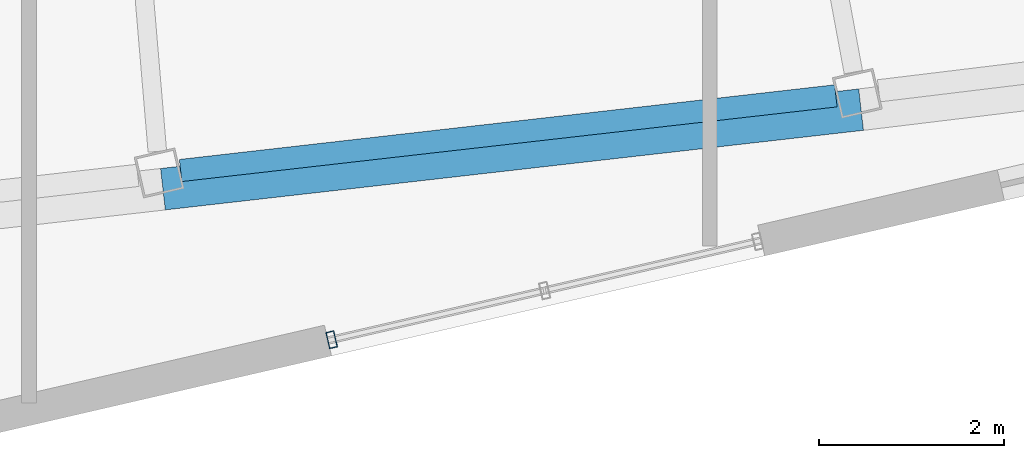
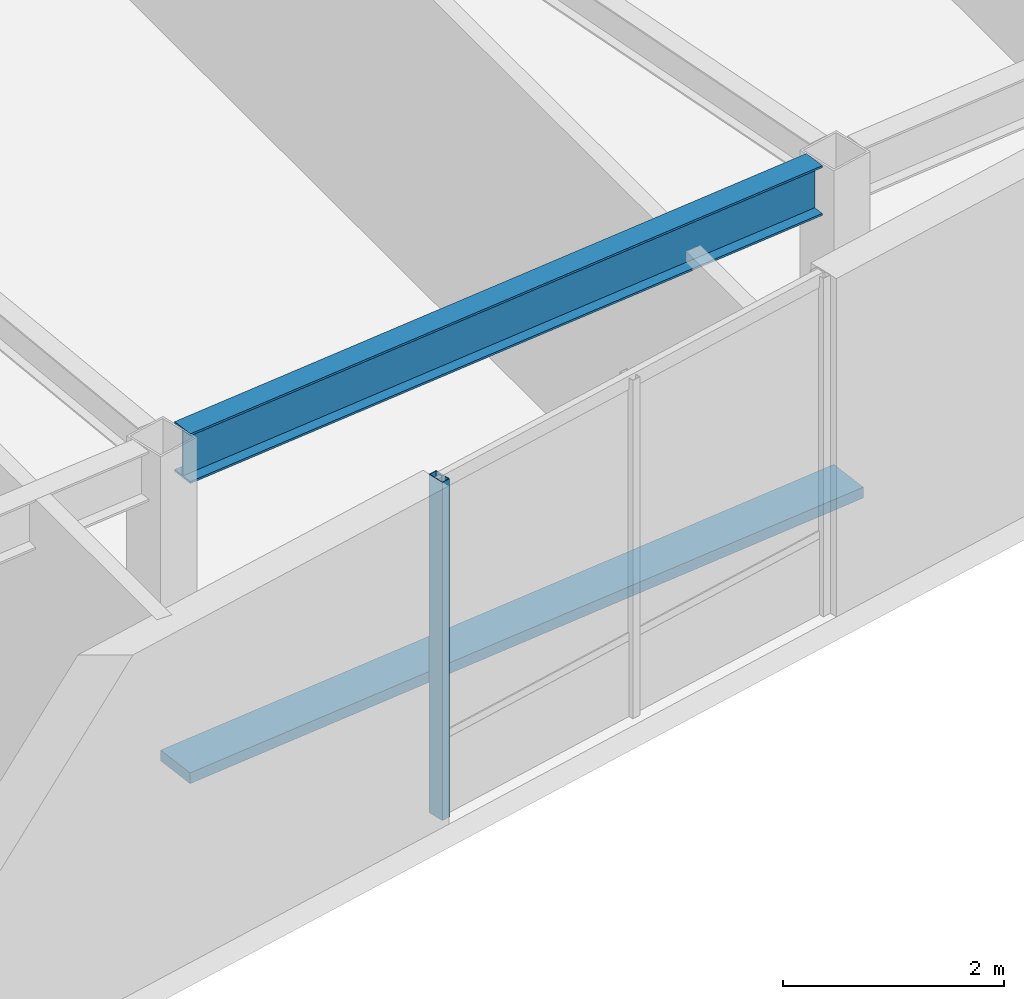
# One storey, part 6 of 22: 2 members, 1 beam, 1 element without a shape of its own.
"""IFC4 building model written with IfcOpenShell, lengths in metres."""

from ifc_helpers import new_model, si_unit, direction, frame, origin, origin_2d, place, context, subcontext, project, spatial, rectangle, hollow_rectangle, i_section, extrude, material, layer, layer_set, material_profile, profile_set, type_object, element, aggregate, save


model = new_model("IFC4")

# Units and contexts
model_context = context("Model", 3, precision=1e-05, world=origin(), true_north=direction((0.0, 1.0)))
body_context = subcontext(model_context, "Body", "Model", "MODEL_VIEW")
ifc_project = project(units=[si_unit("LENGTHUNIT", "METRE"), si_unit("AREAUNIT", "SQUARE_METRE"), si_unit("VOLUMEUNIT", "CUBIC_METRE"), si_unit("PLANEANGLEUNIT", "RADIAN"), si_unit("MASSUNIT", "GRAM", prefix="KILO")], contexts=[model_context])

# Site, building, storey
site_placement = place(None, origin())
site = spatial("IfcSite", under=ifc_project, at=site_placement, CompositionType="ELEMENT")
building_placement = place(site_placement, origin())
building = spatial("IfcBuilding", under=site, at=building_placement, Name="Tavrogorsk Clinical Tower", CompositionType="ELEMENT")
storey_placement = place(building_placement, frame((0.0, 0.0, 313.0)))
storey = spatial("IfcBuildingStorey", under=building, at=storey_placement, Name="L73", CompositionType="ELEMENT", Elevation=313.0)

# Member
ifc_material_1 = material(Name="Anodised aluminium alloy AW-6063", Category="aluminium")
ifc_material_profile_1 = material_profile(ifc_material_1, rectangle(XDim=0.449951171875, YDim=0.1201171875, at=origin_2d()), Name="ALU-SUNSHADE-450x120")
ifc_profile_set_1 = profile_set([ifc_material_profile_1], Name="Anodised aluminium alloy AW-6063")
member_type_1 = type_object("IfcMemberType", Name="ChicagoSunshade_450x120", PredefinedType="USERDEFINED", material=ifc_profile_set_1)
member_1_placement = place(storey_placement, frame((-8.75341796875, -24.343994140625, 0.179931640625), z_axis=(0.993568518474, 0.113232500178, 0.0), x_axis=(-0.113232500178, 0.993568518474, 0.0)))
element("IfcMember", 1, at=member_1_placement, inside=storey, type_object=member_type_1, Name="L73 South Aluminium Sunshade S3", ObjectType="SUNSHADE", PredefinedType="USERDEFINED", context=body_context, shape_type="SweptSolid", body=[
    extrude(rectangle(XDim=0.449951171875, YDim=0.1201171875, at=origin_2d()), origin(), (0.0, 0.0, 1.0), 7.585205078125),
])

# Curtain wall, member
ifc_material_2 = material(Name="Anodised aluminium and triple IGU glazing", Category="aluminium")
ifc_layer = layer(ifc_material_2, 0.179931640625)
ifc_layer_set = layer_set([ifc_layer], Name="Anodised aluminium and triple IGU glazing")
curtain_wall_type = type_object("IfcCurtainWallType", Name="CW3_SouthSlot", PredefinedType="NOTDEFINED", material=ifc_layer_set)
curtain_wall_placement = place(storey_placement, origin())
curtain_wall = element("IfcCurtainWall", 2, at=curtain_wall_placement, inside=storey, type_object=curtain_wall_type, Name="L73 Curtain Wall CW-L73-S-SLOT-1", PredefinedType="NOTDEFINED")
ifc_material_3 = material(Name="Anodised aluminium alloy AW-6060", Category="aluminium")
ifc_material_profile_2 = material_profile(ifc_material_3, hollow_rectangle(XDim=0.090087890625, YDim=0.179931640625, WallThickness=0.00634765625, at=origin_2d()), Name="RHS-180x90x6.3")
ifc_profile_set_2 = profile_set([ifc_material_profile_2], Name="Anodised aluminium alloy AW-6060")
member_type_2 = type_object("IfcMemberType", Name="CwMullion_180x90", PredefinedType="MULLION", material=ifc_profile_set_2)
member_2_placement = place(storey_placement, frame((-6.93212890625, -25.968994140625, 0.0), z_axis=(0.0, 0.0, 1.0), x_axis=(0.974370057377, 0.224951086434, 0.0)))
member_2 = element("IfcMember", 3, at=member_2_placement, type_object=member_type_2, Name="CW-L73-S-SLOT-1 Mullion 1", PredefinedType="MULLION", context=body_context, shape_type="SweptSolid", body=[
    extrude(hollow_rectangle(XDim=0.090087890625, YDim=0.179931640625, WallThickness=0.00634765625, at=origin_2d()), origin(), (0.0, 0.0, 1.0), 3.739990234375),
])
aggregate(curtain_wall, [member_2])

# Beam
ifc_material_4 = material(Name="Structural steel S390", Category="steel")
ifc_material_profile_3 = material_profile(ifc_material_4, i_section(OverallWidth=0.239990234375, OverallDepth=0.550048828125, WebThickness=0.013916015625, FlangeThickness=0.02197265625, at=origin_2d()), Name="B-550x240x14x22")
ifc_profile_set_3 = profile_set([ifc_material_profile_3], Name="Structural steel S390")
beam_type = type_object("IfcBeamType", Name="SpandrelBeam_B550", PredefinedType="SPANDREL", material=ifc_profile_set_3)
beam_placement = place(storey_placement, frame((-8.5625, -24.14208984375, 3.465087890625), z_axis=(0.993572073137, 0.113201305126, 0.0), x_axis=(-0.113201305126, 0.993572073137, 0.0)))
element("IfcBeam", 4, at=beam_placement, inside=storey, type_object=beam_type, Name="L73 Perimeter Spandrel S3-S4", PredefinedType="SPANDREL", context=body_context, shape_type="SweptSolid", body=[
    extrude(i_section(OverallWidth=0.239990234375, OverallDepth=0.550048828125, WebThickness=0.013916015625, FlangeThickness=0.02197265625, at=origin_2d()), origin(), (0.0, 0.0, 1.0), 7.119140625),
])

save(model, "model.ifc")
